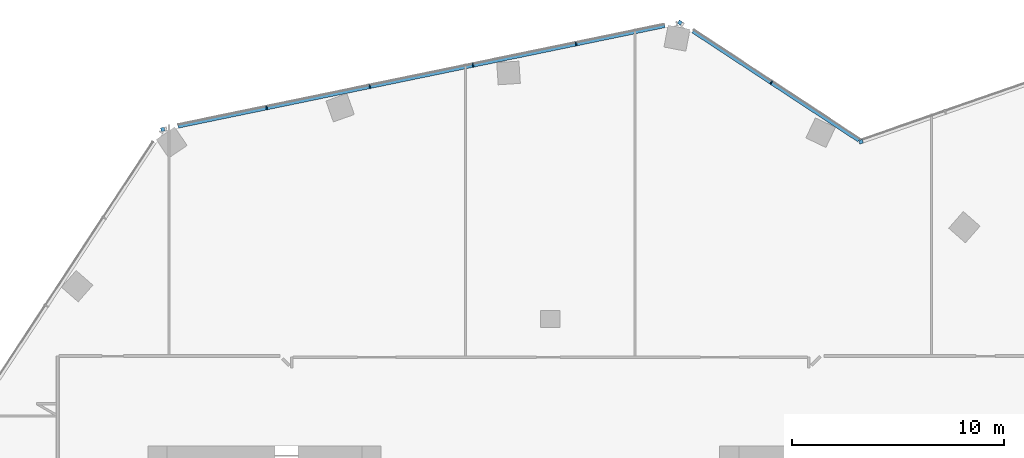
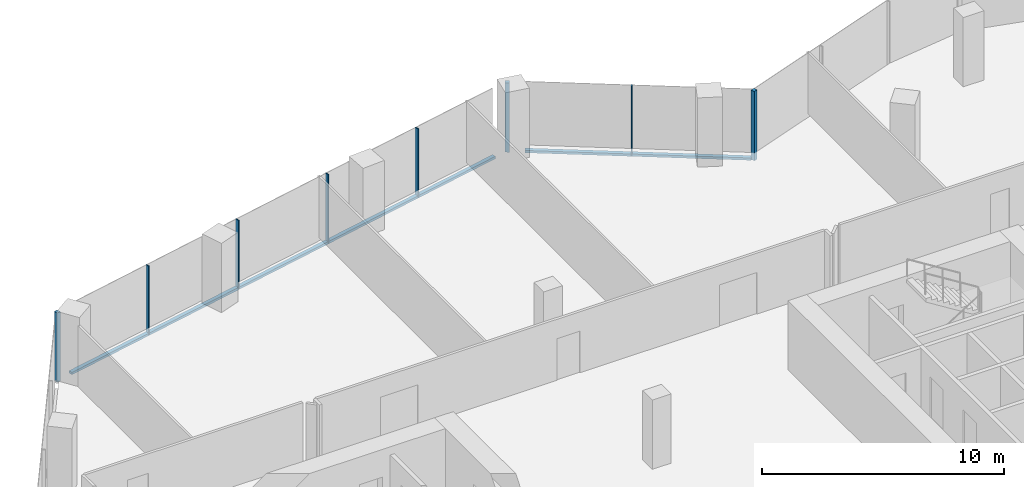
# One storey, part 10 of 24: 10 members, 3 elements without a shape of their own.
"""IFC4 building model written with IfcOpenShell, lengths in metres."""

from ifc_helpers import new_model, si_unit, direction, frame, origin, origin_2d, place, context, subcontext, project, spatial, rectangle, extrude, material, material_profile, profile_set, type_object, element, aggregate, save


model = new_model("IFC4")

# Units and contexts
model_context = context("Model", 3, precision=1e-05, world=origin(), true_north=direction((0.0, 1.0)))
body_context = subcontext(model_context, "Body", "Model", "MODEL_VIEW")
ifc_project = project(units=[si_unit("LENGTHUNIT", "METRE"), si_unit("AREAUNIT", "SQUARE_METRE"), si_unit("VOLUMEUNIT", "CUBIC_METRE"), si_unit("PLANEANGLEUNIT", "RADIAN"), si_unit("MASSUNIT", "GRAM", prefix="KILO")], contexts=[model_context])

# Site, building, storey
site_placement = place(None, origin())
site = spatial("IfcSite", under=ifc_project, at=site_placement, CompositionType="ELEMENT")
building_placement = place(site_placement, origin())
building = spatial("IfcBuilding", under=site, at=building_placement, Name="Orlundy Tower", CompositionType="ELEMENT")
storey_placement = place(building_placement, frame((0.0, 0.0, 235.5)))
storey = spatial("IfcBuildingStorey", under=building, at=storey_placement, Name="L62", CompositionType="ELEMENT", Elevation=235.5)

# Curtain wall, member
ifc_material_1 = material(Name="Aluminium bronze anodised", Category="aluminium")
curtain_wall_type = type_object("IfcCurtainWallType", Name="CW1 wall", PredefinedType="NOTDEFINED", material=ifc_material_1)
curtain_wall_1_placement = place(storey_placement, origin())
curtain_wall_1 = element("IfcCurtainWall", 1, at=curtain_wall_1_placement, inside=storey, type_object=curtain_wall_type, Name="CW1 run 016", PredefinedType="NOTDEFINED")
ifc_material_2 = material(Name="Aluminium bronze anodised", Category="aluminium")
ifc_material_profile_1 = material_profile(ifc_material_2, rectangle(XDim=0.179931640625, YDim=0.179931640625, at=origin_2d()), Name="CW1 corner post 180x180")
ifc_profile_set_1 = profile_set([ifc_material_profile_1], Name="Aluminium bronze anodised")
member_type_1 = type_object("IfcMemberType", Name="CW1 corner post 180x180", PredefinedType="MULLION", material=ifc_profile_set_1)
member_1_placement = place(storey_placement, frame((-18.290771484375, 26.947509765625, -0.39990234375), z_axis=(0.0, 0.0, 1.0), x_axis=(-0.202233038095, 0.979337428215, 0.0)))
member_1 = element("IfcMember", 2, at=member_1_placement, type_object=member_type_1, Name="CW1 mullion 32", PredefinedType="MULLION", context=body_context, shape_type="SweptSolid", body=[
    extrude(rectangle(XDim=0.179931640625, YDim=0.179931640625, at=origin_2d()), origin(), (0.0, 0.0, 1.0), 3.5),
])

curtain_wall_2_placement = place(storey_placement, origin())
curtain_wall_2 = element("IfcCurtainWall", 3, at=curtain_wall_2_placement, inside=storey, type_object=curtain_wall_type, Name="CW1 run 017", PredefinedType="NOTDEFINED")
member_2_placement = place(storey_placement, frame((6.121337890625, 31.98876953125, -0.39990234375), z_axis=(0.0, 0.0, 1.0), x_axis=(0.549481934574, 0.835505597573, 0.0)))
member_2 = element("IfcMember", 4, at=member_2_placement, type_object=member_type_1, Name="CW1 mullion 37", PredefinedType="MULLION", context=body_context, shape_type="SweptSolid", body=[
    extrude(rectangle(XDim=0.179931640625, YDim=0.179931640625, at=origin_2d()), origin(), (0.0, 0.0, 1.0), 3.5),
])

curtain_wall_3_placement = place(storey_placement, origin())
curtain_wall_3 = element("IfcCurtainWall", 5, at=curtain_wall_3_placement, inside=storey, type_object=curtain_wall_type, Name="CW1 run 018", PredefinedType="NOTDEFINED")
member_3_placement = place(storey_placement, frame((14.66845703125, 26.36767578125, -0.39990234375), z_axis=(0.0, 0.0, 1.0), x_axis=(-0.328297862498, 0.94457424985, 0.0)))
member_3 = element("IfcMember", 6, at=member_3_placement, type_object=member_type_1, Name="CW1 mullion 39", PredefinedType="MULLION", context=body_context, shape_type="SweptSolid", body=[
    extrude(rectangle(XDim=0.179931640625, YDim=0.179931640625, at=origin_2d()), origin(), (0.0, 0.0, 1.0), 3.5),
])
aggregate(curtain_wall_3, [member_3])

# Member
ifc_material_3 = material(Name="Aluminium bronze anodised", Category="aluminium")
ifc_material_profile_2 = material_profile(ifc_material_3, rectangle(XDim=0.179931640625, YDim=0.050048828125, at=origin_2d()), Name="CW1 mullion 50x180")
ifc_profile_set_2 = profile_set([ifc_material_profile_2], Name="Aluminium bronze anodised")
member_type_2 = type_object("IfcMemberType", Name="CW1 mullion 50x180", PredefinedType="MULLION", material=ifc_profile_set_2)
member_4_placement = place(storey_placement, frame((-13.386474609375, 27.96044921875, -0.39990234375), z_axis=(0.0, 0.0, 1.0), x_axis=(-0.202233038095, 0.979337428215, 0.0)))
member_4 = element("IfcMember", 7, at=member_4_placement, type_object=member_type_2, Name="CW1 mullion 33", PredefinedType="MULLION", context=body_context, shape_type="SweptSolid", body=[
    extrude(rectangle(XDim=0.179931640625, YDim=0.050048828125, at=origin_2d()), origin(), (0.0, 0.0, 1.0), 3.5),
])

member_5_placement = place(storey_placement, frame((-8.5185546875, 28.965576171875, -0.39990234375), z_axis=(0.0, 0.0, 1.0), x_axis=(-0.202233038095, 0.979337428215, 0.0)))
member_5 = element("IfcMember", 8, at=member_5_placement, type_object=member_type_2, Name="CW1 mullion 34", PredefinedType="MULLION", context=body_context, shape_type="SweptSolid", body=[
    extrude(rectangle(XDim=0.179931640625, YDim=0.050048828125, at=origin_2d()), origin(), (0.0, 0.0, 1.0), 3.5),
])

member_6_placement = place(storey_placement, frame((-3.65087890625, 29.970703125, -0.39990234375), z_axis=(0.0, 0.0, 1.0), x_axis=(-0.202233038095, 0.979337428215, 0.0)))
member_6 = element("IfcMember", 9, at=member_6_placement, type_object=member_type_2, Name="CW1 mullion 35", PredefinedType="MULLION", context=body_context, shape_type="SweptSolid", body=[
    extrude(rectangle(XDim=0.179931640625, YDim=0.050048828125, at=origin_2d()), origin(), (0.0, 0.0, 1.0), 3.5),
])

member_7_placement = place(storey_placement, frame((1.217041015625, 30.975830078125, -0.39990234375), z_axis=(0.0, 0.0, 1.0), x_axis=(-0.202233038095, 0.979337428215, 0.0)))
member_7 = element("IfcMember", 10, at=member_7_placement, type_object=member_type_2, Name="CW1 mullion 36", PredefinedType="MULLION", context=body_context, shape_type="SweptSolid", body=[
    extrude(rectangle(XDim=0.179931640625, YDim=0.050048828125, at=origin_2d()), origin(), (0.0, 0.0, 1.0), 3.5),
])

member_8_placement = place(storey_placement, frame((10.428955078125, 29.15576171875, -0.39990234375), z_axis=(0.0, 0.0, 1.0), x_axis=(0.549481934574, 0.835505597573, 0.0)))
member_8 = element("IfcMember", 11, at=member_8_placement, type_object=member_type_2, Name="CW1 mullion 38", PredefinedType="MULLION", context=body_context, shape_type="SweptSolid", body=[
    extrude(rectangle(XDim=0.179931640625, YDim=0.050048828125, at=origin_2d()), origin(), (0.0, 0.0, 1.0), 3.5),
])

ifc_material_4 = material(Name="Aluminium bronze anodised", Category="aluminium")
ifc_material_profile_3 = material_profile(ifc_material_4, rectangle(XDim=0.179931640625, YDim=0.1201171875, at=origin_2d()), Name="CW1 transom 180x120")
ifc_profile_set_3 = profile_set([ifc_material_profile_3], Name="Aluminium bronze anodised")
member_type_3 = type_object("IfcMemberType", Name="CW1 transom 180x120", PredefinedType="USERDEFINED", material=ifc_profile_set_3)
member_9_placement = place(storey_placement, frame((-17.57470703125, 27.095458984375, -0.340087890625), z_axis=(0.979336229875, 0.202238841113, 0.0), x_axis=(-0.202238841113, 0.979336229875, 0.0)))
member_9 = element("IfcMember", 12, at=member_9_placement, type_object=member_type_3, Name="CW1 transom", ObjectType="TRANSOM", PredefinedType="USERDEFINED", context=body_context, shape_type="SweptSolid", body=[
    extrude(rectangle(XDim=0.179931640625, YDim=0.1201171875, at=origin_2d()), origin(), (0.0, 0.0, 1.0), 23.46533203125),
])

aggregate(curtain_wall_1, [member_1, member_4, member_5, member_6, member_7, member_9])

member_10_placement = place(storey_placement, frame((6.731689453125, 31.587158203125, -0.340087890625), z_axis=(0.835507591398, -0.549478902886, 0.0), x_axis=(0.549478902886, 0.835507591398, 0.0)))
member_10 = element("IfcMember", 13, at=member_10_placement, type_object=member_type_3, Name="CW1 transom", ObjectType="TRANSOM", PredefinedType="USERDEFINED", context=body_context, shape_type="SweptSolid", body=[
    extrude(rectangle(XDim=0.179931640625, YDim=0.1201171875, at=origin_2d()), origin(), (0.0, 0.0, 1.0), 9.3857421875),
])

aggregate(curtain_wall_2, [member_2, member_8, member_10])

save(model, "model.ifc")
